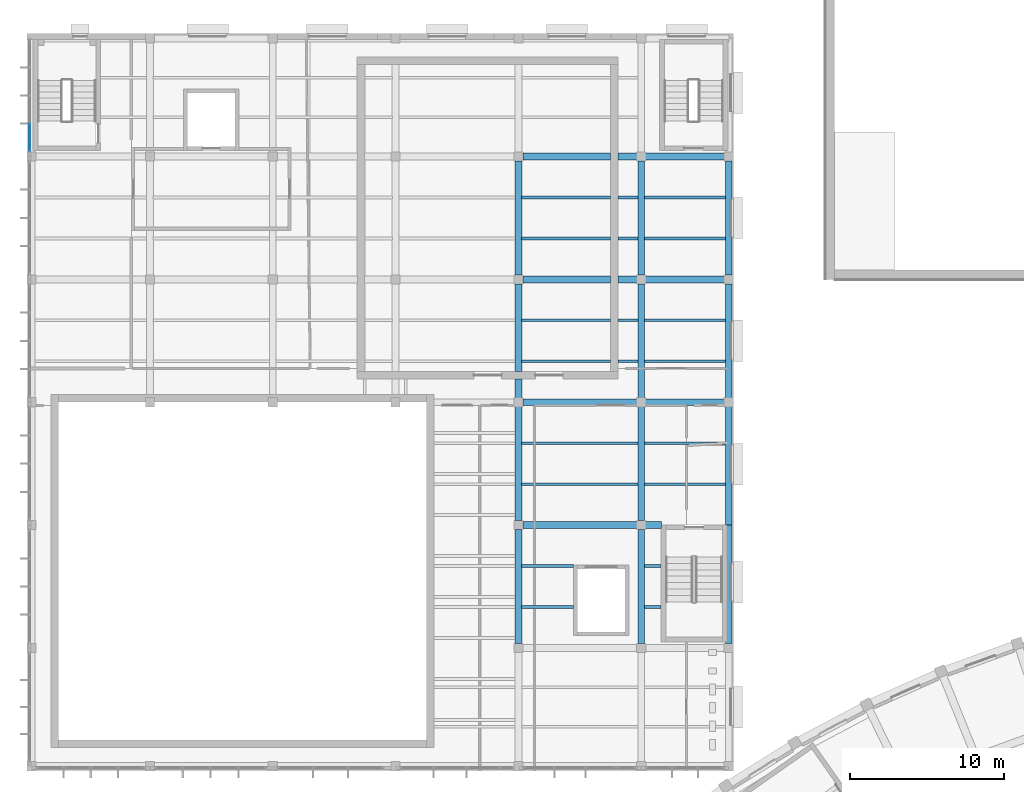
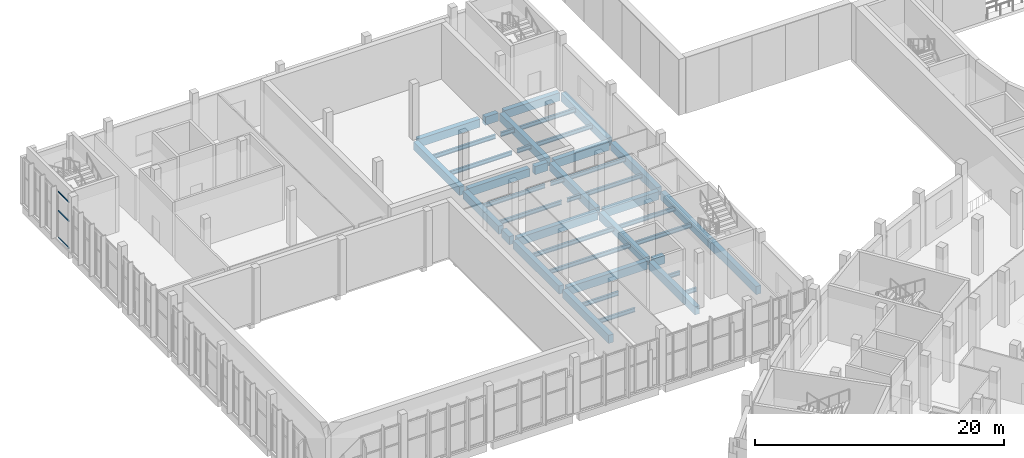
# One storey, part 19 of 112: 43 beams, 3 members, 1 element without a shape of its own.
"""IFC4 building model written with IfcOpenShell, lengths in metres."""

from ifc_helpers import new_model, si_unit, direction, frame, origin, origin_2d, place, context, subcontext, project, spatial, rectangle, i_section, extrude, material, layer, layer_set, material_profile, profile_set, type_object, element, aggregate, save


model = new_model("IFC4")

# Units and contexts
model_context = context("Model", 3, precision=1e-05, world=origin(), true_north=direction((0.0, 1.0)))
body_context = subcontext(model_context, "Body", "Model", "MODEL_VIEW")
ifc_project = project(units=[si_unit("LENGTHUNIT", "METRE"), si_unit("AREAUNIT", "SQUARE_METRE"), si_unit("VOLUMEUNIT", "CUBIC_METRE"), si_unit("PLANEANGLEUNIT", "RADIAN"), si_unit("MASSUNIT", "GRAM", prefix="KILO")], contexts=[model_context])

# Site, building, storey
site_placement = place(None, origin())
site = spatial("IfcSite", under=ifc_project, at=site_placement, CompositionType="ELEMENT")
building_placement = place(site_placement, origin())
building = spatial("IfcBuilding", under=site, at=building_placement, Name="Lunette Opera House", CompositionType="ELEMENT")
storey_placement = place(building_placement, frame((0.0, 0.0, 6.0)))
storey = spatial("IfcBuildingStorey", under=building, at=storey_placement, Name="L01", CompositionType="ELEMENT", Elevation=6.0)

# Beams
ifc_material_1 = material(Name="Concrete C35/45", Category="concrete")
ifc_material_profile_1 = material_profile(ifc_material_1, rectangle(XDim=0.449951171875, YDim=0.800048828125, at=origin_2d()), Name="RC BEAM 450X800")
ifc_profile_set_1 = profile_set([ifc_material_profile_1], Name="Concrete C35/45")
beam_type_1 = type_object("IfcBeamType", Name="RC BEAM 450X800", PredefinedType="BEAM", material=ifc_profile_set_1)
for number, where, z_axis, x_axis, name in (
    (1, (40.0, 72.2900390625, -0.550048828125), (0.0, 1.0, 0.0), (-1.0, 0.0, 0.0), "beam-RW-L01-L01-GY41"),
    (2, (40.0, 80.2900390625, -0.550048828125), (0.0, 1.0, 0.0), (-1.0, 0.0, 0.0), "beam-RW-L01-L01-GY42"),
):
    element("IfcBeam", number, at=place(storey_placement, frame(where, z_axis=z_axis, x_axis=x_axis)), inside=storey, type_object=beam_type_1, Name=name, PredefinedType="BEAM", context=body_context, shape_type="SweptSolid", body=[
        extrude(rectangle(XDim=0.449951171875, YDim=0.800048828125, at=origin_2d()), origin(), (0.0, 0.0, 1.0), 7.419921875),
    ])
beam_1_placement = place(storey_placement, frame((40.0, 88.2900390625, -0.550048828125), z_axis=(0.0, 1.0, 0.0), x_axis=(-1.0, 0.0, 0.0)))
element("IfcBeam", 3, at=beam_1_placement, inside=storey, type_object=beam_type_1, Name="beam-RW-L01-L01-GY43", PredefinedType="BEAM", context=body_context, shape_type="SweptSolid", body=[
    extrude(rectangle(XDim=0.449951171875, YDim=0.800048828125, at=origin_2d()), origin(), (0.0, 0.0, 1.0), 1.219970703125),
])
beam_2_placement = place(storey_placement, frame((40.0, 89.989990234375, -0.550048828125), z_axis=(0.0, 1.0, 0.0), x_axis=(-1.0, 0.0, 0.0)))
element("IfcBeam", 4, at=beam_2_placement, inside=storey, type_object=beam_type_1, Name="beam-RW-L01-L01-GY43-1", PredefinedType="BEAM", context=body_context, shape_type="SweptSolid", body=[
    extrude(rectangle(XDim=0.449951171875, YDim=0.800048828125, at=origin_2d()), origin(), (0.0, 0.0, 1.0), 5.719970703125),
])
for number, where, z_axis, x_axis, name in (
    (5, (40.0, 96.2900390625, -0.550048828125), (0.0, 1.0, 0.0), (-1.0, 0.0, 0.0), "beam-RW-L01-L01-GY44"),
    (6, (48.0, 72.2900390625, -0.550048828125), (0.0, 1.0, 0.0), (-1.0, 0.0, 0.0), "beam-RW-L01-L01-GY51"),
    (7, (48.0, 80.2900390625, -0.550048828125), (0.0, 1.0, 0.0), (-1.0, 0.0, 0.0), "beam-RW-L01-L01-GY52"),
    (8, (48.0, 88.2900390625, -0.550048828125), (0.0, 1.0, 0.0), (-1.0, 0.0, 0.0), "beam-RW-L01-L01-GY53"),
    (9, (48.0, 96.2900390625, -0.550048828125), (0.0, 1.0, 0.0), (-1.0, 0.0, 0.0), "beam-RW-L01-L01-GY54"),
):
    element("IfcBeam", number, at=place(storey_placement, frame(where, z_axis=z_axis, x_axis=x_axis)), inside=storey, type_object=beam_type_1, Name=name, PredefinedType="BEAM", context=body_context, shape_type="SweptSolid", body=[
        extrude(rectangle(XDim=0.449951171875, YDim=0.800048828125, at=origin_2d()), origin(), (0.0, 0.0, 1.0), 7.419921875),
    ])
for number, where, z_axis, x_axis, name in (
    (10, (53.699951171875, 72.2900390625, -0.550048828125), (0.0, 1.0, 0.0), (-1.0, 0.0, 0.0), "beam-RW-L01-L01-GY61"),
    (11, (53.699951171875, 80.0, -0.550048828125), (0.0, 1.0, 0.0), (-1.0, 0.0, 0.0), "beam-RW-L01-L01-GY62"),
):
    element("IfcBeam", number, at=place(storey_placement, frame(where, z_axis=z_axis, x_axis=x_axis)), inside=storey, type_object=beam_type_1, Name=name, PredefinedType="BEAM", context=body_context, shape_type="SweptSolid", body=[
        extrude(rectangle(XDim=0.449951171875, YDim=0.800048828125, at=origin_2d()), origin(), (0.0, 0.0, 1.0), 7.7099609375),
    ])
for number, where, z_axis, x_axis, name in (
    (12, (53.699951171875, 88.2900390625, -0.550048828125), (0.0, 1.0, 0.0), (-1.0, 0.0, 0.0), "beam-RW-L01-L01-GY63"),
    (13, (53.699951171875, 96.2900390625, -0.550048828125), (0.0, 1.0, 0.0), (-1.0, 0.0, 0.0), "beam-RW-L01-L01-GY64"),
    (14, (40.2900390625, 80.0, -0.550048828125), (1.0, 0.0, 0.0), (0.0, 1.0, 0.0), "beam-RW-L01-L01-GX42"),
):
    element("IfcBeam", number, at=place(storey_placement, frame(where, z_axis=z_axis, x_axis=x_axis)), inside=storey, type_object=beam_type_1, Name=name, PredefinedType="BEAM", context=body_context, shape_type="SweptSolid", body=[
        extrude(rectangle(XDim=0.449951171875, YDim=0.800048828125, at=origin_2d()), origin(), (0.0, 0.0, 1.0), 7.419921875),
    ])
beam_3_placement = place(storey_placement, frame((48.2900390625, 80.0, -0.550048828125), z_axis=(1.0, 0.0, 0.0), x_axis=(0.0, 1.0, 0.0)))
element("IfcBeam", 15, at=beam_3_placement, inside=storey, type_object=beam_type_1, Name="beam-RW-L01-L01-GX52", PredefinedType="BEAM", context=body_context, shape_type="SweptSolid", body=[
    extrude(rectangle(XDim=0.449951171875, YDim=0.800048828125, at=origin_2d()), origin(), (0.0, 0.0, 1.0), 1.02001953125),
])
beam_4_placement = place(storey_placement, frame((40.2900390625, 88.0, -0.550048828125), z_axis=(1.0, 0.0, 0.0), x_axis=(0.0, 1.0, 0.0)))
element("IfcBeam", 16, at=beam_4_placement, inside=storey, type_object=beam_type_1, Name="beam-RW-L01-L01-GX43", PredefinedType="BEAM", context=body_context, shape_type="SweptSolid", body=[
    extrude(rectangle(XDim=0.449951171875, YDim=0.800048828125, at=origin_2d()), origin(), (0.0, 0.0, 1.0), 7.419921875),
])
beam_5_placement = place(storey_placement, frame((48.2900390625, 88.0, -0.550048828125), z_axis=(1.0, 0.0, 0.0), x_axis=(0.0, 1.0, 0.0)))
element("IfcBeam", 17, at=beam_5_placement, inside=storey, type_object=beam_type_1, Name="beam-RW-L01-L01-GX53", PredefinedType="BEAM", context=body_context, shape_type="SweptSolid", body=[
    extrude(rectangle(XDim=0.449951171875, YDim=0.800048828125, at=origin_2d()), origin(), (0.0, 0.0, 1.0), 5.119873046875),
])
beam_6_placement = place(storey_placement, frame((40.2900390625, 96.0, -0.550048828125), z_axis=(1.0, 0.0, 0.0), x_axis=(0.0, 1.0, 0.0)))
element("IfcBeam", 18, at=beam_6_placement, inside=storey, type_object=beam_type_1, Name="beam-RW-L01-L01-GX44", PredefinedType="BEAM", context=body_context, shape_type="SweptSolid", body=[
    extrude(rectangle(XDim=0.449951171875, YDim=0.800048828125, at=origin_2d()), origin(), (0.0, 0.0, 1.0), 5.719970703125),
])
beam_7_placement = place(storey_placement, frame((46.489990234375, 96.0, -0.550048828125), z_axis=(1.0, 0.0, 0.0), x_axis=(0.0, 1.0, 0.0)))
element("IfcBeam", 19, at=beam_7_placement, inside=storey, type_object=beam_type_1, Name="beam-RW-L01-L01-GX44-1", PredefinedType="BEAM", context=body_context, shape_type="SweptSolid", body=[
    extrude(rectangle(XDim=0.449951171875, YDim=0.800048828125, at=origin_2d()), origin(), (0.0, 0.0, 1.0), 1.219970703125),
])
beam_8_placement = place(storey_placement, frame((48.2900390625, 96.0, -0.550048828125), z_axis=(1.0, 0.0, 0.0), x_axis=(0.0, 1.0, 0.0)))
element("IfcBeam", 20, at=beam_8_placement, inside=storey, type_object=beam_type_1, Name="beam-RW-L01-L01-GX54", PredefinedType="BEAM", context=body_context, shape_type="SweptSolid", body=[
    extrude(rectangle(XDim=0.449951171875, YDim=0.800048828125, at=origin_2d()), origin(), (0.0, 0.0, 1.0), 5.119873046875),
])
beam_9_placement = place(storey_placement, frame((40.2900390625, 104.0, -0.550048828125), z_axis=(1.0, 0.0, 0.0), x_axis=(0.0, 1.0, 0.0)))
element("IfcBeam", 21, at=beam_9_placement, inside=storey, type_object=beam_type_1, Name="beam-RW-L01-L01-GX45", PredefinedType="BEAM", context=body_context, shape_type="SweptSolid", body=[
    extrude(rectangle(XDim=0.449951171875, YDim=0.800048828125, at=origin_2d()), origin(), (0.0, 0.0, 1.0), 5.719970703125),
])
beam_10_placement = place(storey_placement, frame((46.489990234375, 104.0, -0.550048828125), z_axis=(1.0, 0.0, 0.0), x_axis=(0.0, 1.0, 0.0)))
element("IfcBeam", 22, at=beam_10_placement, inside=storey, type_object=beam_type_1, Name="beam-RW-L01-L01-GX45-1", PredefinedType="BEAM", context=body_context, shape_type="SweptSolid", body=[
    extrude(rectangle(XDim=0.449951171875, YDim=0.800048828125, at=origin_2d()), origin(), (0.0, 0.0, 1.0), 1.219970703125),
])
beam_11_placement = place(storey_placement, frame((48.2900390625, 104.0, -0.550048828125), z_axis=(1.0, 0.0, 0.0), x_axis=(0.0, 1.0, 0.0)))
element("IfcBeam", 23, at=beam_11_placement, inside=storey, type_object=beam_type_1, Name="beam-RW-L01-L01-GX55", PredefinedType="BEAM", context=body_context, shape_type="SweptSolid", body=[
    extrude(rectangle(XDim=0.449951171875, YDim=0.800048828125, at=origin_2d()), origin(), (0.0, 0.0, 1.0), 5.119873046875),
])
ifc_material_2 = material(Name="Steel S355", Category="steel")
ifc_material_profile_2 = material_profile(ifc_material_2, i_section(OverallWidth=0.179931640625, OverallDepth=0.39990234375, WebThickness=0.008544921875, FlangeThickness=0.013427734375, FilletRadius=0.02099609375, at=origin_2d()), Name="IPE 400")
ifc_profile_set_2 = profile_set([ifc_material_profile_2], Name="Steel S355")
beam_type_2 = type_object("IfcBeamType", Name="STEEL BEAM IPE 400", PredefinedType="BEAM", material=ifc_profile_set_2)
for number, where, z_axis, x_axis, name in (
    (24, (40.215087890625, 74.6669921875, -0.35009765625), (1.0, 0.0, 0.0), (0.0, 1.0, 0.0), "beam-RW-L01-L01-SX411"),
    (25, (40.215087890625, 77.3330078125, -0.35009765625), (1.0, 0.0, 0.0), (0.0, 1.0, 0.0), "beam-RW-L01-L01-SX412"),
):
    element("IfcBeam", number, at=place(storey_placement, frame(where, z_axis=z_axis, x_axis=x_axis)), inside=storey, type_object=beam_type_2, Name=name, PredefinedType="BEAM", context=body_context, shape_type="SweptSolid", body=[
        extrude(i_section(OverallWidth=0.179931640625, OverallDepth=0.39990234375, WebThickness=0.008544921875, FlangeThickness=0.013427734375, FilletRadius=0.02099609375, at=origin_2d()), origin(), (0.0, 0.0, 1.0), 3.385009765625),
    ])
for number, where, z_axis, x_axis, name in (
    (26, (40.215087890625, 82.6669921875, -0.35009765625), (1.0, 0.0, 0.0), (0.0, 1.0, 0.0), "beam-RW-L01-L01-SX421"),
    (27, (40.215087890625, 85.3330078125, -0.35009765625), (1.0, 0.0, 0.0), (0.0, 1.0, 0.0), "beam-RW-L01-L01-SX422"),
):
    element("IfcBeam", number, at=place(storey_placement, frame(where, z_axis=z_axis, x_axis=x_axis)), inside=storey, type_object=beam_type_2, Name=name, PredefinedType="BEAM", context=body_context, shape_type="SweptSolid", body=[
        extrude(i_section(OverallWidth=0.179931640625, OverallDepth=0.39990234375, WebThickness=0.008544921875, FlangeThickness=0.013427734375, FilletRadius=0.02099609375, at=origin_2d()), origin(), (0.0, 0.0, 1.0), 7.56982421875),
    ])
beam_12_placement = place(storey_placement, frame((40.215087890625, 90.6669921875, -0.35009765625), z_axis=(1.0, 0.0, 0.0), x_axis=(0.0, 1.0, 0.0)))
element("IfcBeam", 28, at=beam_12_placement, inside=storey, type_object=beam_type_2, Name="beam-RW-L01-L01-SX431", PredefinedType="BEAM", context=body_context, shape_type="SweptSolid", body=[
    extrude(i_section(OverallWidth=0.179931640625, OverallDepth=0.39990234375, WebThickness=0.008544921875, FlangeThickness=0.013427734375, FilletRadius=0.02099609375, at=origin_2d()), origin(), (0.0, 0.0, 1.0), 5.784912109375),
])
beam_13_placement = place(storey_placement, frame((46.5, 90.6669921875, -0.35009765625), z_axis=(1.0, 0.0, 0.0), x_axis=(0.0, 1.0, 0.0)))
element("IfcBeam", 29, at=beam_13_placement, inside=storey, type_object=beam_type_2, Name="beam-RW-L01-L01-SX431-01", PredefinedType="BEAM", context=body_context, shape_type="SweptSolid", body=[
    extrude(i_section(OverallWidth=0.179931640625, OverallDepth=0.39990234375, WebThickness=0.008544921875, FlangeThickness=0.013427734375, FilletRadius=0.02099609375, at=origin_2d()), origin(), (0.0, 0.0, 1.0), 1.284912109375),
])
beam_14_placement = place(storey_placement, frame((40.215087890625, 93.3330078125, -0.35009765625), z_axis=(1.0, 0.0, 0.0), x_axis=(0.0, 1.0, 0.0)))
element("IfcBeam", 30, at=beam_14_placement, inside=storey, type_object=beam_type_2, Name="beam-RW-L01-L01-SX432", PredefinedType="BEAM", context=body_context, shape_type="SweptSolid", body=[
    extrude(i_section(OverallWidth=0.179931640625, OverallDepth=0.39990234375, WebThickness=0.008544921875, FlangeThickness=0.013427734375, FilletRadius=0.02099609375, at=origin_2d()), origin(), (0.0, 0.0, 1.0), 5.784912109375),
])
beam_15_placement = place(storey_placement, frame((46.5, 93.3330078125, -0.35009765625), z_axis=(1.0, 0.0, 0.0), x_axis=(0.0, 1.0, 0.0)))
element("IfcBeam", 31, at=beam_15_placement, inside=storey, type_object=beam_type_2, Name="beam-RW-L01-L01-SX432-01", PredefinedType="BEAM", context=body_context, shape_type="SweptSolid", body=[
    extrude(i_section(OverallWidth=0.179931640625, OverallDepth=0.39990234375, WebThickness=0.008544921875, FlangeThickness=0.013427734375, FilletRadius=0.02099609375, at=origin_2d()), origin(), (0.0, 0.0, 1.0), 1.284912109375),
])
beam_16_placement = place(storey_placement, frame((40.215087890625, 98.6669921875, -0.35009765625), z_axis=(1.0, 0.0, 0.0), x_axis=(0.0, 1.0, 0.0)))
element("IfcBeam", 32, at=beam_16_placement, inside=storey, type_object=beam_type_2, Name="beam-RW-L01-L01-SX441", PredefinedType="BEAM", context=body_context, shape_type="SweptSolid", body=[
    extrude(i_section(OverallWidth=0.179931640625, OverallDepth=0.39990234375, WebThickness=0.008544921875, FlangeThickness=0.013427734375, FilletRadius=0.02099609375, at=origin_2d()), origin(), (0.0, 0.0, 1.0), 5.784912109375),
])
beam_17_placement = place(storey_placement, frame((46.5, 98.6669921875, -0.35009765625), z_axis=(1.0, 0.0, 0.0), x_axis=(0.0, 1.0, 0.0)))
element("IfcBeam", 33, at=beam_17_placement, inside=storey, type_object=beam_type_2, Name="beam-RW-L01-L01-SX441-01", PredefinedType="BEAM", context=body_context, shape_type="SweptSolid", body=[
    extrude(i_section(OverallWidth=0.179931640625, OverallDepth=0.39990234375, WebThickness=0.008544921875, FlangeThickness=0.013427734375, FilletRadius=0.02099609375, at=origin_2d()), origin(), (0.0, 0.0, 1.0), 1.284912109375),
])
beam_18_placement = place(storey_placement, frame((40.215087890625, 101.3330078125, -0.35009765625), z_axis=(1.0, 0.0, 0.0), x_axis=(0.0, 1.0, 0.0)))
element("IfcBeam", 34, at=beam_18_placement, inside=storey, type_object=beam_type_2, Name="beam-RW-L01-L01-SX442", PredefinedType="BEAM", context=body_context, shape_type="SweptSolid", body=[
    extrude(i_section(OverallWidth=0.179931640625, OverallDepth=0.39990234375, WebThickness=0.008544921875, FlangeThickness=0.013427734375, FilletRadius=0.02099609375, at=origin_2d()), origin(), (0.0, 0.0, 1.0), 5.784912109375),
])
beam_19_placement = place(storey_placement, frame((46.5, 101.3330078125, -0.35009765625), z_axis=(1.0, 0.0, 0.0), x_axis=(0.0, 1.0, 0.0)))
element("IfcBeam", 35, at=beam_19_placement, inside=storey, type_object=beam_type_2, Name="beam-RW-L01-L01-SX442-01", PredefinedType="BEAM", context=body_context, shape_type="SweptSolid", body=[
    extrude(i_section(OverallWidth=0.179931640625, OverallDepth=0.39990234375, WebThickness=0.008544921875, FlangeThickness=0.013427734375, FilletRadius=0.02099609375, at=origin_2d()), origin(), (0.0, 0.0, 1.0), 1.284912109375),
])
for number, where, z_axis, x_axis, name in (
    (36, (48.215087890625, 74.6669921875, -0.35009765625), (1.0, 0.0, 0.0), (0.0, 1.0, 0.0), "beam-RW-L01-L01-SX511"),
    (37, (48.215087890625, 77.3330078125, -0.35009765625), (1.0, 0.0, 0.0), (0.0, 1.0, 0.0), "beam-RW-L01-L01-SX512"),
):
    element("IfcBeam", number, at=place(storey_placement, frame(where, z_axis=z_axis, x_axis=x_axis)), inside=storey, type_object=beam_type_2, Name=name, PredefinedType="BEAM", context=body_context, shape_type="SweptSolid", body=[
        extrude(i_section(OverallWidth=0.179931640625, OverallDepth=0.39990234375, WebThickness=0.008544921875, FlangeThickness=0.013427734375, FilletRadius=0.02099609375, at=origin_2d()), origin(), (0.0, 0.0, 1.0), 1.0849609375),
    ])
for number, where, z_axis, x_axis, name in (
    (38, (48.215087890625, 82.6669921875, -0.35009765625), (1.0, 0.0, 0.0), (0.0, 1.0, 0.0), "beam-RW-L01-L01-SX521"),
    (39, (48.215087890625, 85.3330078125, -0.35009765625), (1.0, 0.0, 0.0), (0.0, 1.0, 0.0), "beam-RW-L01-L01-SX522"),
    (40, (48.215087890625, 90.6669921875, -0.35009765625), (1.0, 0.0, 0.0), (0.0, 1.0, 0.0), "beam-RW-L01-L01-SX531"),
    (41, (48.215087890625, 93.3330078125, -0.35009765625), (1.0, 0.0, 0.0), (0.0, 1.0, 0.0), "beam-RW-L01-L01-SX532"),
    (42, (48.215087890625, 98.6669921875, -0.35009765625), (1.0, 0.0, 0.0), (0.0, 1.0, 0.0), "beam-RW-L01-L01-SX541"),
    (43, (48.215087890625, 101.3330078125, -0.35009765625), (1.0, 0.0, 0.0), (0.0, 1.0, 0.0), "beam-RW-L01-L01-SX542"),
):
    element("IfcBeam", number, at=place(storey_placement, frame(where, z_axis=z_axis, x_axis=x_axis)), inside=storey, type_object=beam_type_2, Name=name, PredefinedType="BEAM", context=body_context, shape_type="SweptSolid", body=[
        extrude(i_section(OverallWidth=0.179931640625, OverallDepth=0.39990234375, WebThickness=0.008544921875, FlangeThickness=0.013427734375, FilletRadius=0.02099609375, at=origin_2d()), origin(), (0.0, 0.0, 1.0), 5.27001953125),
    ])

# Curtain wall, members
ifc_material_3 = material(Name="Aluminium", Category="aluminium")
ifc_layer = layer(ifc_material_3, 0.179931640625)
ifc_layer_set = layer_set([ifc_layer], Name="Aluminium")
curtain_wall_type = type_object("IfcCurtainWallType", Name="SUN FACE CURTAIN WALL", PredefinedType="NOTDEFINED", material=ifc_layer_set)
curtain_wall_placement = place(storey_placement, origin())
curtain_wall = element("IfcCurtainWall", 44, at=curtain_wall_placement, inside=storey, type_object=curtain_wall_type, Name="Sun Face Curtain Wall F13 L01", PredefinedType="NOTDEFINED")
ifc_material_4 = material(Name="Aluminium", Category="aluminium")
ifc_material_profile_3 = material_profile(ifc_material_4, rectangle(XDim=0.06005859375, YDim=0.139892578125, at=origin_2d()), Name="TRANSOM 60 X 140")
ifc_profile_set_3 = profile_set([ifc_material_profile_3], Name="Aluminium")
member_type = type_object("IfcMemberType", Name="TRANSOM 60 X 140", PredefinedType="USERDEFINED", material=ifc_profile_set_3)
member_1_placement = place(storey_placement, frame((8.181884765625, 106.126220703125, 0.030029296875), z_axis=(0.0, -1.0, 0.0), x_axis=(1.0, 0.0, 0.0)))
member_1 = element("IfcMember", 45, at=member_1_placement, type_object=member_type, Name="RW-X2015 transom 4.1", ObjectType="TRANSOM", PredefinedType="USERDEFINED", context=body_context, shape_type="SweptSolid", body=[
    extrude(rectangle(XDim=0.06005859375, YDim=0.139892578125, at=origin_2d()), origin(), (0.0, 0.0, 1.0), 1.736328125),
])
member_2_placement = place(storey_placement, frame((8.181884765625, 106.126220703125, 2.675048828125), z_axis=(0.0, -1.0, 0.0), x_axis=(1.0, 0.0, 0.0)))
member_2 = element("IfcMember", 46, at=member_2_placement, type_object=member_type, Name="RW-X2015 transom 4.2", ObjectType="TRANSOM", PredefinedType="USERDEFINED", context=body_context, shape_type="SweptSolid", body=[
    extrude(rectangle(XDim=0.06005859375, YDim=0.139892578125, at=origin_2d()), origin(), (0.0, 0.0, 1.0), 1.736328125),
])
member_3_placement = place(storey_placement, frame((8.181884765625, 106.126220703125, 4.52001953125), z_axis=(0.0, -1.0, 0.0), x_axis=(1.0, 0.0, 0.0)))
member_3 = element("IfcMember", 47, at=member_3_placement, type_object=member_type, Name="RW-X2015 transom 4.3", ObjectType="TRANSOM", PredefinedType="USERDEFINED", context=body_context, shape_type="SweptSolid", body=[
    extrude(rectangle(XDim=0.06005859375, YDim=0.139892578125, at=origin_2d()), origin(), (0.0, 0.0, 1.0), 1.736328125),
])
aggregate(curtain_wall, [member_1, member_2, member_3])

save(model, "model.ifc")
